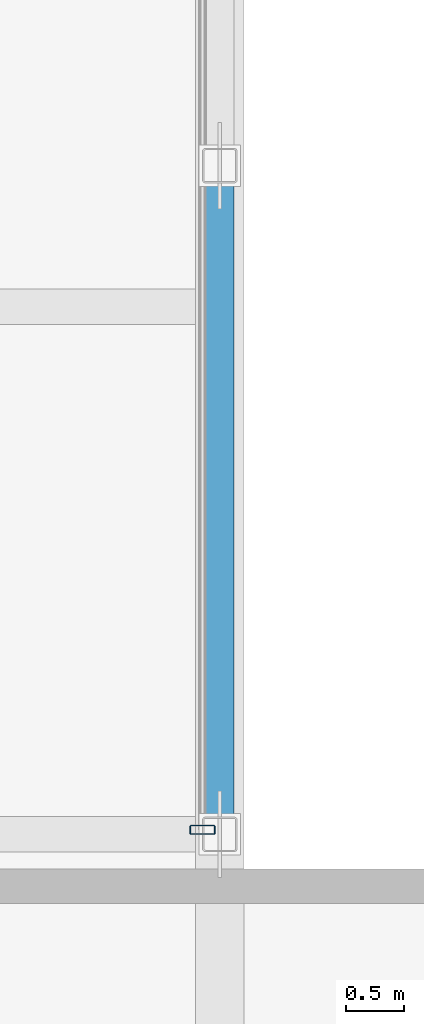
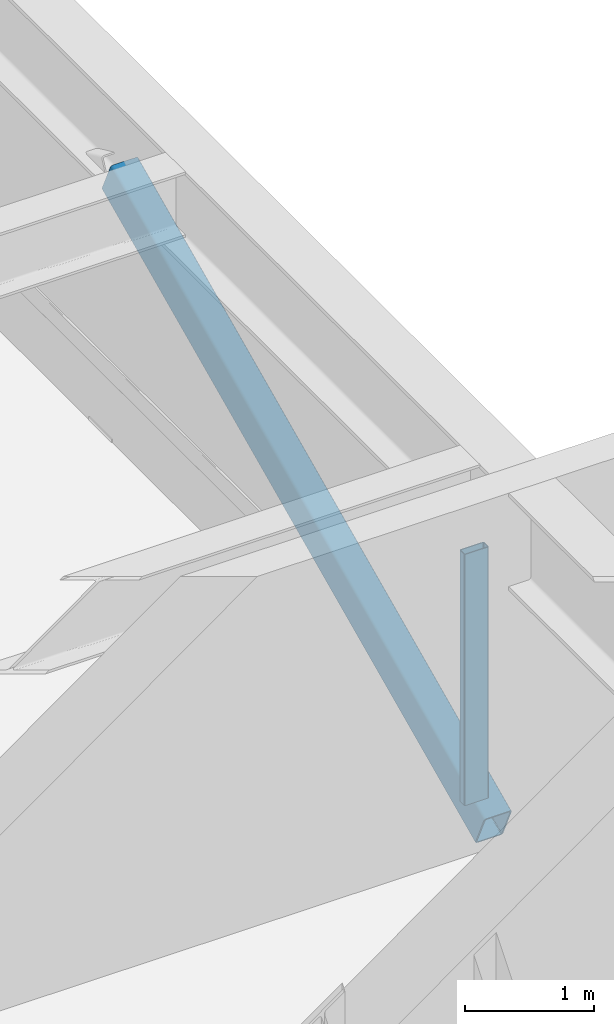
# One storey, part 8 of 35: 2 members, 1 element without a shape of its own.
"""IFC4 building model written with IfcOpenShell, lengths in metres."""

import ifcopenshell
import ifcopenshell.guid

model = None  # the IFC model being written
_history = None  # IfcOwnerHistory: only IFC2X3 demands one
_inside = {}  # id of a spatial element -> (the spatial element, [elements in it])
_under = {}  # id of a project, library or spatial element -> (it, [spatial elements below it])
_declared = {}  # id of a project -> (the project, [libraries it declares])
_typed = {}  # id of a type object -> (the type object, [elements of that type])
_made_of = {}  # id of a material, layer set ... -> (it, [elements and type objects made of it])


def new_model(schema):
    """Start an empty IFC model of exactly this schema.

    Asked for "IFC4X3", IfcOpenShell would pick the latest addendum, in which some entities
    have other attributes; the version numbers below select the first issue.
    IFC2X3 requires an IfcOwnerHistory on every rooted entity: one is made here for all.
    """
    global model, _history
    if schema == "IFC4X3":
        model = ifcopenshell.file(schema_version=(4, 3, 0, 0))
    else:
        model = ifcopenshell.file(schema=schema)
    _inside.clear()
    _under.clear()
    _declared.clear()
    _typed.clear()
    _made_of.clear()
    _history = None
    if model.schema == "IFC2X3":
        org = make("IfcOrganization", Name="unknown")
        user = make(
            "IfcPersonAndOrganization",
            ThePerson=make("IfcPerson", FamilyName="unknown"),
            TheOrganization=org,
        )
        app = make(
            "IfcApplication",
            ApplicationDeveloper=org,
            Version="unknown",
            ApplicationFullName="unknown",
            ApplicationIdentifier="unknown",
        )
        _history = make(
            "IfcOwnerHistory",
            OwningUser=user,
            OwningApplication=app,
            ChangeAction="ADDED",
            CreationDate=0,
        )
    return model


def make(cls, **values):
    """One entity of the class cls with the attributes given. An attribute that is None is left unset."""
    return model.create_entity(
        cls, **{name: value for name, value in values.items() if value is not None}
    )


def rooted(cls, **values):
    """An entity with a GlobalId (a new one), such as an element, a storey or a relation."""
    return make(cls, GlobalId=ifcopenshell.guid.new(), OwnerHistory=_history, **values)


def si_unit(unit_type, name, prefix=None):
    """IfcSIUnit, for example si_unit("LENGTHUNIT", "METRE", prefix="MILLI")."""
    return make("IfcSIUnit", UnitType=unit_type, Prefix=prefix, Name=name)


def assignment(units):
    """IfcUnitAssignment: the units of a project."""
    return None if units is None else make("IfcUnitAssignment", Units=units)


def point(xyz):
    """IfcCartesianPoint."""
    return None if xyz is None else make("IfcCartesianPoint", Coordinates=xyz)


def direction(xyz):
    """IfcDirection."""
    return None if xyz is None else make("IfcDirection", DirectionRatios=xyz)


def frame(location, z_axis=None, x_axis=None):
    """IfcAxis2Placement3D, a coordinate frame: its origin and axes. An axis left out is left unset."""
    return make(
        "IfcAxis2Placement3D",
        Location=point(location),
        Axis=direction(z_axis),
        RefDirection=direction(x_axis),
    )


def frame_2d(location, x_axis=None):
    """IfcAxis2Placement2D, a coordinate frame in the plane: its origin and x axis."""
    return make(
        "IfcAxis2Placement2D", Location=point(location), RefDirection=direction(x_axis)
    )


def origin():
    """The frame at (0, 0, 0) with its axes left unset."""
    return frame((0.0, 0.0, 0.0))


def origin_2d():
    """The frame at (0, 0) in the plane with its x axis left unset."""
    return frame_2d((0.0, 0.0))


def place(relative_to, where):
    """IfcLocalPlacement: puts the frame where relative to a parent placement (None: the world)."""
    return make(
        "IfcLocalPlacement", PlacementRelTo=relative_to, RelativePlacement=where
    )


def context(
    kind, dimensions, precision=None, world=None, true_north=None, identifier=None
):
    """IfcGeometricRepresentationContext, for example the 3D "Model" context."""
    return make(
        "IfcGeometricRepresentationContext",
        ContextIdentifier=identifier,
        ContextType=kind,
        CoordinateSpaceDimension=dimensions,
        Precision=precision,
        WorldCoordinateSystem=world,
        TrueNorth=true_north,
    )


def subcontext(parent, identifier, kind, view, scale=None):
    """IfcGeometricRepresentationSubContext, for example "Body" below "Model"."""
    return make(
        "IfcGeometricRepresentationSubContext",
        ContextIdentifier=identifier,
        ContextType=kind,
        ParentContext=parent,
        TargetScale=scale,
        TargetView=view,
    )


def project(units=None, contexts=None):
    """IfcProject with its units and contexts."""
    return rooted(
        "IfcProject",
        Name="project",
        RepresentationContexts=contexts,
        UnitsInContext=assignment(units),
    )


def spatial(cls, under=None, at=None, **own):
    """A site, building, storey or space (cls), placed at a placement, below another one or the project."""
    s = rooted(cls, ObjectPlacement=at, **own)
    if under is not None:
        _under.setdefault(under.id(), (under, []))[1].append(s)
    return s


def profile(cls, at=None, kind="AREA", **sizes):
    """A parametric profile (cls). Its sizes go by their IFC names, for example OverallWidth=200.0."""
    return make(cls, ProfileType=kind, Position=at, **sizes)


def hollow_rectangle(**sizes):
    """IfcRectangleHollowProfileDef."""
    return profile("IfcRectangleHollowProfileDef", **sizes)


def extrude(swept, where, along, depth):
    """IfcExtrudedAreaSolid: the profile swept, set in the frame where, extruded along a direction by depth."""
    return make(
        "IfcExtrudedAreaSolid",
        SweptArea=swept,
        Position=where,
        ExtrudedDirection=direction(along),
        Depth=depth,
    )


def shape(context_of_items, identifier, shape_type, items):
    """IfcShapeRepresentation: the items that make up one representation, for example the "Body"."""
    return make(
        "IfcShapeRepresentation",
        ContextOfItems=context_of_items,
        RepresentationIdentifier=identifier,
        RepresentationType=shape_type,
        Items=items,
    )


def material(Name=None, Category=None):
    """IfcMaterial."""
    return make("IfcMaterial", Name=Name, Category=Category)


def layer(
    of_material, thickness, ventilated=None, Name=None, Category=None, Priority=None
):
    """IfcMaterialLayer: one layer of a wall or slab, of a material (None: an air gap)."""
    return make(
        "IfcMaterialLayer",
        Material=of_material,
        LayerThickness=thickness,
        IsVentilated=ventilated,
        Name=Name,
        Category=Category,
        Priority=Priority,
    )


def layer_set(layers, Name=None):
    """IfcMaterialLayerSet."""
    return make("IfcMaterialLayerSet", MaterialLayers=layers, LayerSetName=Name)


def material_profile(
    of_material, cross_section, Name=None, Category=None, Priority=None
):
    """IfcMaterialProfile: a cross section and its material."""
    return make(
        "IfcMaterialProfile",
        Name=Name,
        Material=of_material,
        Profile=cross_section,
        Priority=Priority,
        Category=Category,
    )


def profile_set(profiles, Name=None, composite=None):
    """IfcMaterialProfileSet."""
    return make(
        "IfcMaterialProfileSet",
        Name=Name,
        MaterialProfiles=profiles,
        CompositeProfile=composite,
    )


def made_of(thing, what):
    """Note that an element or type object is made of a material, layer set ...; save() writes the relation."""
    if what is not None:
        _made_of.setdefault(what.id(), (what, []))[1].append(thing)
    return thing


def type_object(cls, material=None, **own):
    """A type object (cls), such as IfcWallType, which elements share."""
    return made_of(rooted(cls, **own), material)


def element(
    cls,
    number,
    at=None,
    inside=None,
    cuts=None,
    type_object=None,
    material=None,
    context=None,
    identifier="Body",
    shape_type=None,
    held_by="IfcProductDefinitionShape",
    body=None,
    shapes=None,
    **own,
):
    """One element of the class cls, such as IfcWall. Its Tag is "e" and its number.

    at: its placement. inside: the storey or other place that contains it. cuts: it is an
    opening in that element (IfcRelVoidsElement). A single representation is given by context,
    identifier, shape_type and body (its items); several are given by shapes. held_by: the class
    of the entity that holds the representations. save() writes the other relations.
    """
    e = rooted(cls, Tag="e%d" % number, ObjectPlacement=at, **own)
    if body is not None:
        shapes = [shape(context, identifier, shape_type, body)]
    if shapes is not None:
        e.Representation = make(held_by, Representations=shapes)
    if inside is not None:
        _inside.setdefault(inside.id(), (inside, []))[1].append(e)
    if cuts is not None:
        rooted(
            "IfcRelVoidsElement", RelatingBuildingElement=cuts, RelatedOpeningElement=e
        )
    if type_object is not None:
        _typed.setdefault(type_object.id(), (type_object, []))[1].append(e)
    return made_of(e, material)


def aggregate(whole, parts):
    """IfcRelAggregates: a whole, such as a stair, and the parts it consists of."""
    return rooted("IfcRelAggregates", RelatingObject=whole, RelatedObjects=parts)


def save(model, path):
    """Write the relations noted so far, then the file.

    IfcRelAggregates (storeys below a building ...), IfcRelContainedInSpatialStructure (elements
    in a storey), IfcRelDefinesByType, IfcRelAssociatesMaterial and IfcRelDeclares: one each for
    every whole, place, type object, material and project.
    """
    for whole, parts in _under.values():
        aggregate(whole, parts)
    for where, things in _inside.values():
        rooted(
            "IfcRelContainedInSpatialStructure",
            RelatedElements=things,
            RelatingStructure=where,
        )
    for kind, things in _typed.values():
        rooted("IfcRelDefinesByType", RelatedObjects=things, RelatingType=kind)
    for what, things in _made_of.values():
        rooted("IfcRelAssociatesMaterial", RelatedObjects=things, RelatingMaterial=what)
    for by, libraries in _declared.values():
        rooted("IfcRelDeclares", RelatingContext=by, RelatedDefinitions=libraries)
    model.write(path)


model = new_model("IFC4")

# Units and contexts
model_context = context("Model", 3, precision=1e-05, world=origin(), true_north=direction((0.0, 1.0)))
body_context = subcontext(model_context, "Body", "Model", "MODEL_VIEW")
ifc_project = project(units=[si_unit("LENGTHUNIT", "METRE"), si_unit("AREAUNIT", "SQUARE_METRE"), si_unit("VOLUMEUNIT", "CUBIC_METRE"), si_unit("PLANEANGLEUNIT", "RADIAN"), si_unit("MASSUNIT", "GRAM", prefix="KILO")], contexts=[model_context])

# Site, building, storey
site_placement = place(None, origin())
site = spatial("IfcSite", under=ifc_project, at=site_placement, CompositionType="ELEMENT")
building_placement = place(site_placement, origin())
building = spatial("IfcBuilding", under=site, at=building_placement, Name="Korimba Cascade Residences", CompositionType="ELEMENT")
storey_placement = place(building_placement, frame((0.0, 0.0, 150.10009765625)))
storey = spatial("IfcBuildingStorey", under=building, at=storey_placement, Name="L43", CompositionType="ELEMENT", Elevation=150.10009765625)

# Curtain wall, member
ifc_material_1 = material(Name="Anodised Aluminium Curtain Wall Framing", Category="aluminium")
ifc_layer = layer(ifc_material_1, 0.179931640625)
ifc_layer_set = layer_set([ifc_layer], Name="Anodised Aluminium Curtain Wall Framing")
curtain_wall_type = type_object("IfcCurtainWallType", Name="CW-OBS-SYS4", PredefinedType="NOTDEFINED", material=ifc_layer_set)
curtain_wall_placement = place(storey_placement, origin())
curtain_wall = element("IfcCurtainWall", 1, at=curtain_wall_placement, inside=storey, type_object=curtain_wall_type, Name="L43 Curtain Wall CW-L43-BRG-E1", PredefinedType="NOTDEFINED")
ifc_material_2 = material(Name="Anodised Aluminium Mullion", Category="aluminium")
ifc_material_profile_1 = material_profile(ifc_material_2, hollow_rectangle(XDim=0.080078125, YDim=0.219970703125, WallThickness=0.00634765625, InnerFilletRadius=0.00634765625, OuterFilletRadius=0.0126953125, at=origin_2d()), Name="Anodised Aluminium Mullion")
ifc_profile_set_1 = profile_set([ifc_material_profile_1], Name="Anodised Aluminium Mullion")
member_type_1 = type_object("IfcMemberType", Name="CWM-MUL-220", PredefinedType="MULLION", material=ifc_profile_set_1)
member_1_placement = place(storey_placement, frame((111.949951171875, 33.139892578125, 0.0), z_axis=(0.0, 0.0, 1.0), x_axis=(0.0, 1.0, 0.0)))
member_1 = element("IfcMember", 2, at=member_1_placement, type_object=member_type_1, Name="CW-L43-BRG-E1 Mullion 1", PredefinedType="MULLION", context=body_context, shape_type="SweptSolid", body=[
    extrude(hollow_rectangle(XDim=0.080078125, YDim=0.219970703125, WallThickness=0.00634765625, InnerFilletRadius=0.00634765625, OuterFilletRadius=0.0126953125, at=origin_2d()), origin(), (0.0, 0.0, 1.0), 2.3798828125),
])
aggregate(curtain_wall, [member_1])

# Member
ifc_material_3 = material(Name="Steel S460", Category="steel")
ifc_material_profile_2 = material_profile(ifc_material_3, hollow_rectangle(XDim=0.25, YDim=0.35009765625, WallThickness=0.012451171875, InnerFilletRadius=0.012451171875, OuterFilletRadius=0.02490234375, at=origin_2d()), Name="Steel S460")
ifc_profile_set_2 = profile_set([ifc_material_profile_2], Name="Steel S460")
member_type_2 = type_object("IfcMemberType", Name="MEM-BRG-SHS350", PredefinedType="BRACE", material=ifc_profile_set_2)
member_2_placement = place(storey_placement, frame((112.10009765625, 33.10009765625, -0.2900390625), z_axis=(0.0, 0.907832954443, 0.41933200072), x_axis=(-1.0, 0.0, 0.0)))
element("IfcMember", 3, at=member_2_placement, inside=storey, type_object=member_type_2, Name="L43 Mid-Bridge Warren Diagonal E1", PredefinedType="BRACE", context=body_context, shape_type="SweptSolid", body=[
    extrude(hollow_rectangle(XDim=0.25, YDim=0.35009765625, WallThickness=0.012451171875, InnerFilletRadius=0.012451171875, OuterFilletRadius=0.02490234375, at=origin_2d()), origin(), (0.0, 0.0, 1.0), 6.388671875),
])

save(model, "model.ifc")
